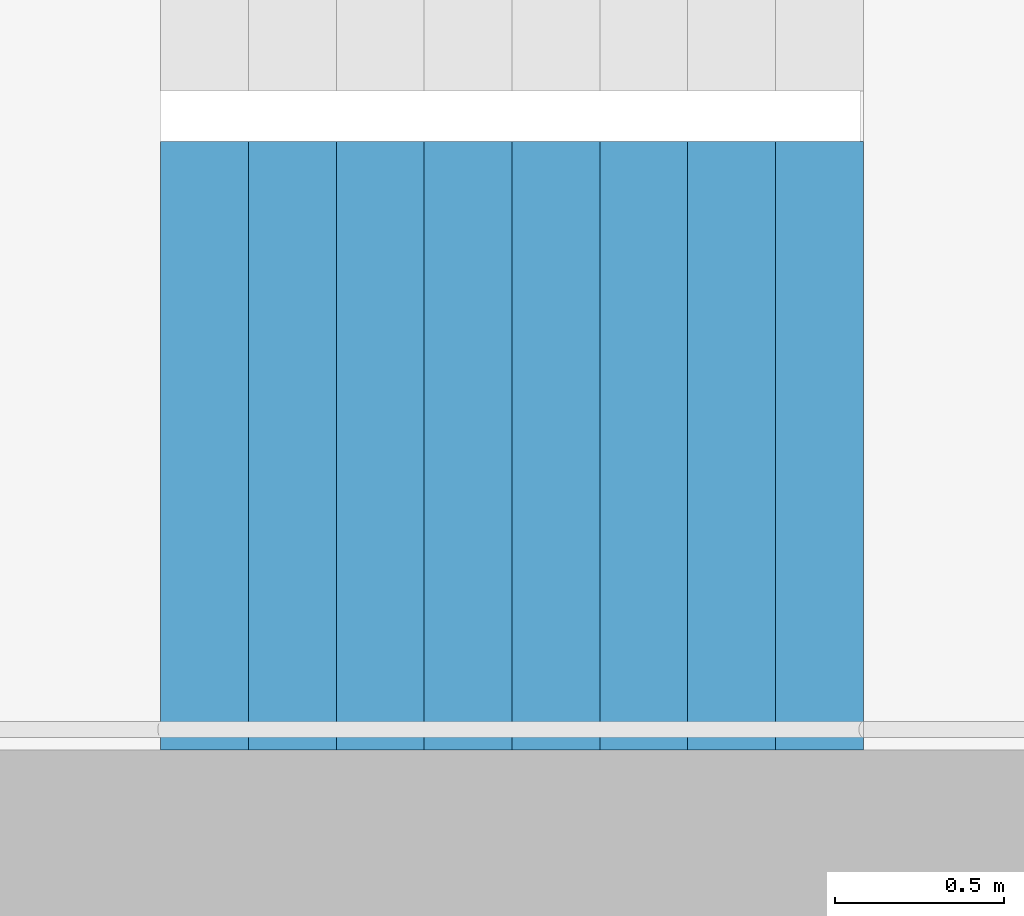
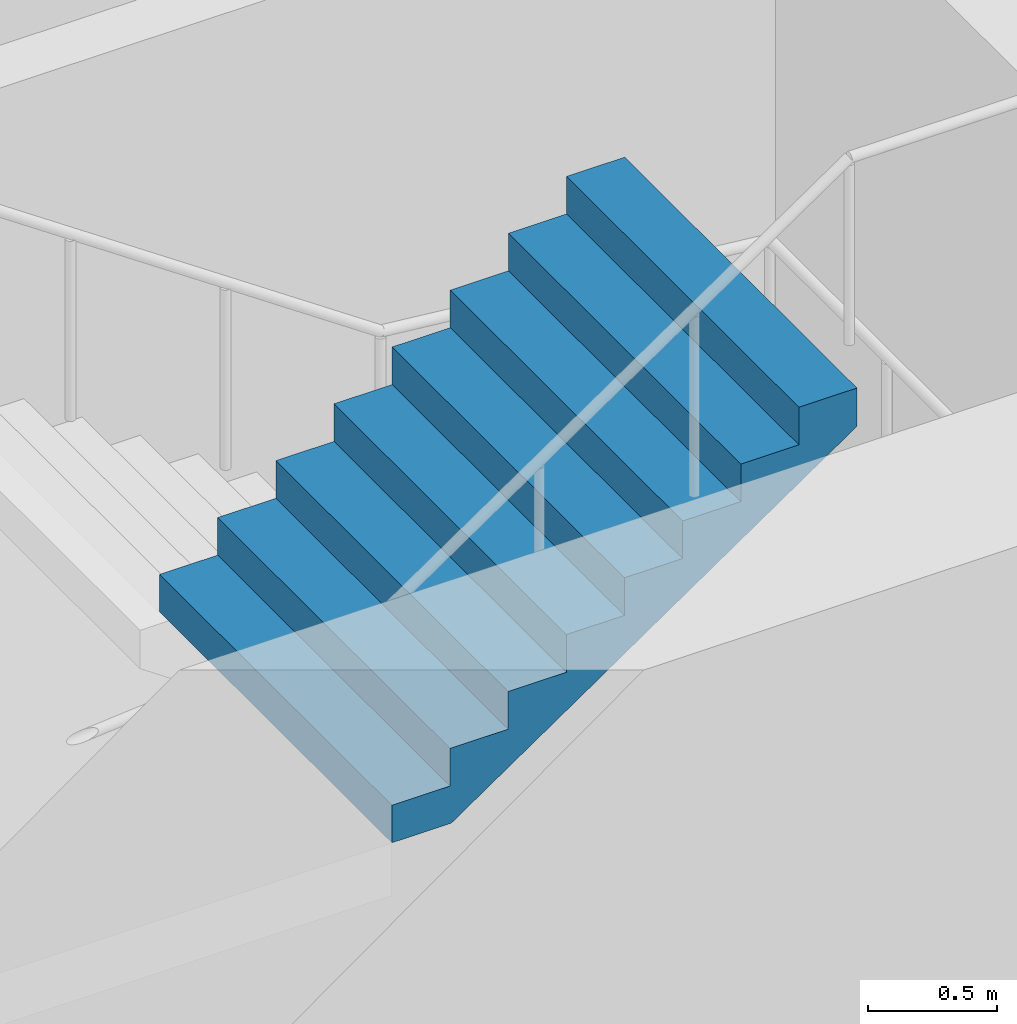
# One storey, part 17 of 42: 1 stair flight, 1 element without a shape of its own.
"""IFC4 building model written with IfcOpenShell, lengths in metres."""

from ifc_helpers import new_model, si_unit, direction, frame, origin, place, context, subcontext, project, spatial, triangles, material, type_object, element, aggregate, save


model = new_model("IFC4")

# Units and contexts
model_context = context("Model", 3, precision=1e-05, world=origin(), true_north=direction((0.0, 1.0)))
body_context = subcontext(model_context, "Body", "Model", "MODEL_VIEW")
ifc_project = project(units=[si_unit("LENGTHUNIT", "METRE"), si_unit("AREAUNIT", "SQUARE_METRE"), si_unit("VOLUMEUNIT", "CUBIC_METRE"), si_unit("PLANEANGLEUNIT", "RADIAN"), si_unit("MASSUNIT", "GRAM", prefix="KILO")], contexts=[model_context])

# Site, building, storey
site_placement = place(None, origin())
site = spatial("IfcSite", under=ifc_project, at=site_placement, CompositionType="ELEMENT")
building_placement = place(site_placement, origin())
building = spatial("IfcBuilding", under=site, at=building_placement, Name="Hakoniwa Tower and Hamabe Station Hall", CompositionType="ELEMENT")
storey_placement = place(building_placement, frame((0.0, 0.0, 232.60009765625)))
storey = spatial("IfcBuildingStorey", under=building, at=storey_placement, Name="L66", CompositionType="ELEMENT", Elevation=232.60009765625)

# Stair, stair flight
ifc_material_1 = material(Name="Concrete C40", Category="concrete")
stair_type = type_object("IfcStairType", Name="ESCAPE STAIR 1800", PredefinedType="HALF_TURN_STAIR", material=ifc_material_1)
stair_placement = place(storey_placement, origin())
stair = element("IfcStair", 1, at=stair_placement, inside=storey, type_object=stair_type, Name="Escape stair ST-2 L66", PredefinedType="HALF_TURN_STAIR")
ifc_material_2 = material(Name="Concrete C40", Category="concrete")
stair_flight_type = type_object("IfcStairFlightType", Name="STAIR FLIGHT 1800", PredefinedType="STRAIGHT", material=ifc_material_2)
stair_flight_placement = place(storey_placement, frame((-25.47998046875, -6.60009765625, 4.7998046875), z_axis=(0.0, 0.0, 1.0), x_axis=(1.0, 0.0, 0.0)))
stair_flight = element("IfcStairFlight", 2, at=stair_flight_placement, type_object=stair_flight_type, Name="ST-2 flight 4", NumberOfRisers=9, NumberOfTreads=8, PredefinedType="STRAIGHT", RiserHeight=0.177777778, TreadLength=0.26, context=body_context, shape_type="Tessellation", body=[
    triangles([(0.0, 0.89990234375, 0.0), (0.260009765625, 0.89990234375, 0.0), (0.265625, 0.89990234375, 0.0), (0.52001953125, 0.89990234375, 0.174072265625), (0.780029296875, 0.89990234375, 0.351806640625), (1.0400390625, 0.89990234375, 0.529541015625), (1.300048828125, 0.89990234375, 0.707275390625), (1.56005859375, 0.89990234375, 0.885009765625), (1.820068359375, 0.89990234375, 1.062744140625), (2.080078125, 0.89990234375, 1.24072265625), (2.080078125, 0.89990234375, 1.422119140625), (1.820068359375, 0.89990234375, 1.422119140625), (1.820068359375, 0.89990234375, 1.244384765625), (1.56005859375, 0.89990234375, 1.244384765625), (1.56005859375, 0.89990234375, 1.066650390625), (1.300048828125, 0.89990234375, 1.066650390625), (1.300048828125, 0.89990234375, 0.888916015625), (1.0400390625, 0.89990234375, 0.888916015625), (1.0400390625, 0.89990234375, 0.711181640625), (0.780029296875, 0.89990234375, 0.711181640625), (0.780029296875, 0.89990234375, 0.533447265625), (0.52001953125, 0.89990234375, 0.533447265625), (0.52001953125, 0.89990234375, 0.35546875), (0.265625, 0.89990234375, 0.35546875), (0.260009765625, 0.89990234375, 0.35546875), (0.260009765625, 0.89990234375, 0.177734375), (0.0, 0.89990234375, 0.177734375), (0.0, 0.06005859375, 0.0), (0.260009765625, 0.06005859375, 0.0), (0.265625, 0.06005859375, 0.0), (0.52001953125, 0.06005859375, 0.174072265625), (0.780029296875, 0.06005859375, 0.351806640625), (1.0400390625, 0.06005859375, 0.529541015625), (1.300048828125, 0.06005859375, 0.707275390625), (1.56005859375, 0.06005859375, 0.885009765625), (1.820068359375, 0.06005859375, 1.062744140625), (2.080078125, 0.06005859375, 1.24072265625), (2.080078125, 0.06005859375, 1.422119140625), (1.820068359375, 0.06005859375, 1.422119140625), (1.820068359375, 0.06005859375, 1.244384765625), (1.56005859375, 0.06005859375, 1.244384765625), (1.56005859375, 0.06005859375, 1.066650390625), (1.300048828125, 0.06005859375, 1.066650390625), (1.300048828125, 0.06005859375, 0.888916015625), (1.0400390625, 0.06005859375, 0.888916015625), (1.0400390625, 0.06005859375, 0.711181640625), (0.780029296875, 0.06005859375, 0.711181640625), (0.780029296875, 0.06005859375, 0.533447265625), (0.52001953125, 0.06005859375, 0.533447265625), (0.52001953125, 0.06005859375, 0.35546875), (0.265625, 0.06005859375, 0.35546875), (0.260009765625, 0.06005859375, 0.35546875), (0.260009765625, 0.06005859375, 0.177734375), (0.0, 0.06005859375, 0.177734375), (0.0, 0.04296875, 0.0), (0.260009765625, 0.04296875, 0.0), (0.265625, 0.04296875, 0.0), (0.52001953125, 0.04296875, 0.174072265625), (0.780029296875, 0.04296875, 0.351806640625), (1.0400390625, 0.04296875, 0.529541015625), (1.300048828125, 0.04296875, 0.707275390625), (1.56005859375, 0.04296875, 0.885009765625), (1.820068359375, 0.04296875, 1.062744140625), (2.080078125, 0.04296875, 1.24072265625), (2.080078125, 0.04296875, 1.422119140625), (1.820068359375, 0.04296875, 1.422119140625), (1.820068359375, 0.04296875, 1.244384765625), (1.56005859375, 0.04296875, 1.244384765625), (1.56005859375, 0.04296875, 1.066650390625), (1.300048828125, 0.04296875, 1.066650390625), (1.300048828125, 0.04296875, 0.888916015625), (1.0400390625, 0.04296875, 0.888916015625), (1.0400390625, 0.04296875, 0.711181640625), (0.780029296875, 0.04296875, 0.711181640625), (0.780029296875, 0.04296875, 0.533447265625), (0.52001953125, 0.04296875, 0.533447265625), (0.52001953125, 0.04296875, 0.35546875), (0.265625, 0.04296875, 0.35546875), (0.260009765625, 0.04296875, 0.35546875), (0.260009765625, 0.04296875, 0.177734375), (0.0, 0.04296875, 0.177734375), (0.0, 0.025634765625, 0.0), (0.260009765625, 0.025634765625, 0.0), (0.265625, 0.025634765625, 0.0), (0.52001953125, 0.025634765625, 0.174072265625), (0.780029296875, 0.025634765625, 0.351806640625), (1.0400390625, 0.025634765625, 0.529541015625), (1.300048828125, 0.025634765625, 0.707275390625), (1.56005859375, 0.025634765625, 0.885009765625), (1.820068359375, 0.025634765625, 1.062744140625), (2.080078125, 0.025634765625, 1.24072265625), (2.080078125, 0.025634765625, 1.422119140625), (1.820068359375, 0.025634765625, 1.422119140625), (1.820068359375, 0.025634765625, 1.244384765625), (1.56005859375, 0.025634765625, 1.244384765625), (1.56005859375, 0.025634765625, 1.066650390625), (1.300048828125, 0.025634765625, 1.066650390625), (1.300048828125, 0.025634765625, 0.888916015625), (1.0400390625, 0.025634765625, 0.888916015625), (1.0400390625, 0.025634765625, 0.711181640625), (0.780029296875, 0.025634765625, 0.711181640625), (0.780029296875, 0.025634765625, 0.533447265625), (0.52001953125, 0.025634765625, 0.533447265625), (0.52001953125, 0.025634765625, 0.35546875), (0.265625, 0.025634765625, 0.35546875), (0.260009765625, 0.025634765625, 0.35546875), (0.260009765625, 0.025634765625, 0.177734375), (0.0, 0.025634765625, 0.177734375), (0.0, 0.008544921875, 0.0), (0.260009765625, 0.008544921875, 0.0), (0.265625, 0.008544921875, 0.0), (0.52001953125, 0.008544921875, 0.174072265625), (0.780029296875, 0.008544921875, 0.351806640625), (1.0400390625, 0.008544921875, 0.529541015625), (1.300048828125, 0.008544921875, 0.707275390625), (1.56005859375, 0.008544921875, 0.885009765625), (1.820068359375, 0.008544921875, 1.062744140625), (2.080078125, 0.008544921875, 1.24072265625), (2.080078125, 0.008544921875, 1.422119140625), (1.820068359375, 0.008544921875, 1.422119140625), (1.820068359375, 0.008544921875, 1.244384765625), (1.56005859375, 0.008544921875, 1.244384765625), (1.56005859375, 0.008544921875, 1.066650390625), (1.300048828125, 0.008544921875, 1.066650390625), (1.300048828125, 0.008544921875, 0.888916015625), (1.0400390625, 0.008544921875, 0.888916015625), (1.0400390625, 0.008544921875, 0.711181640625), (0.780029296875, 0.008544921875, 0.711181640625), (0.780029296875, 0.008544921875, 0.533447265625), (0.52001953125, 0.008544921875, 0.533447265625), (0.52001953125, 0.008544921875, 0.35546875), (0.265625, 0.008544921875, 0.35546875), (0.260009765625, 0.008544921875, 0.35546875), (0.260009765625, 0.008544921875, 0.177734375), (0.0, 0.008544921875, 0.177734375), (0.0, -0.008544921875, 0.0), (0.260009765625, -0.008544921875, 0.0), (0.265625, -0.008544921875, 0.0), (0.52001953125, -0.008544921875, 0.174072265625), (0.780029296875, -0.008544921875, 0.351806640625), (1.0400390625, -0.008544921875, 0.529541015625), (1.300048828125, -0.008544921875, 0.707275390625), (1.56005859375, -0.008544921875, 0.885009765625), (1.820068359375, -0.008544921875, 1.062744140625), (2.080078125, -0.008544921875, 1.24072265625), (2.080078125, -0.008544921875, 1.422119140625), (1.820068359375, -0.008544921875, 1.422119140625), (1.820068359375, -0.008544921875, 1.244384765625), (1.56005859375, -0.008544921875, 1.244384765625), (1.56005859375, -0.008544921875, 1.066650390625), (1.300048828125, -0.008544921875, 1.066650390625), (1.300048828125, -0.008544921875, 0.888916015625), (1.0400390625, -0.008544921875, 0.888916015625), (1.0400390625, -0.008544921875, 0.711181640625), (0.780029296875, -0.008544921875, 0.711181640625), (0.780029296875, -0.008544921875, 0.533447265625), (0.52001953125, -0.008544921875, 0.533447265625), (0.52001953125, -0.008544921875, 0.35546875), (0.265625, -0.008544921875, 0.35546875), (0.260009765625, -0.008544921875, 0.35546875), (0.260009765625, -0.008544921875, 0.177734375), (0.0, -0.008544921875, 0.177734375), (0.0, -0.025634765625, 0.0), (0.260009765625, -0.025634765625, 0.0), (0.265625, -0.025634765625, 0.0), (0.52001953125, -0.025634765625, 0.174072265625), (0.780029296875, -0.025634765625, 0.351806640625), (1.0400390625, -0.025634765625, 0.529541015625), (1.300048828125, -0.025634765625, 0.707275390625), (1.56005859375, -0.025634765625, 0.885009765625), (1.820068359375, -0.025634765625, 1.062744140625), (2.080078125, -0.025634765625, 1.24072265625), (2.080078125, -0.025634765625, 1.422119140625), (1.820068359375, -0.025634765625, 1.422119140625), (1.820068359375, -0.025634765625, 1.244384765625), (1.56005859375, -0.025634765625, 1.244384765625), (1.56005859375, -0.025634765625, 1.066650390625), (1.300048828125, -0.025634765625, 1.066650390625), (1.300048828125, -0.025634765625, 0.888916015625), (1.0400390625, -0.025634765625, 0.888916015625), (1.0400390625, -0.025634765625, 0.711181640625), (0.780029296875, -0.025634765625, 0.711181640625), (0.780029296875, -0.025634765625, 0.533447265625), (0.52001953125, -0.025634765625, 0.533447265625), (0.52001953125, -0.025634765625, 0.35546875), (0.265625, -0.025634765625, 0.35546875), (0.260009765625, -0.025634765625, 0.35546875), (0.260009765625, -0.025634765625, 0.177734375), (0.0, -0.025634765625, 0.177734375), (0.0, -0.04296875, 0.0), (0.260009765625, -0.04296875, 0.0), (0.265625, -0.04296875, 0.0), (0.52001953125, -0.04296875, 0.174072265625), (0.780029296875, -0.04296875, 0.351806640625), (1.0400390625, -0.04296875, 0.529541015625), (1.300048828125, -0.04296875, 0.707275390625), (1.56005859375, -0.04296875, 0.885009765625), (1.820068359375, -0.04296875, 1.062744140625), (2.080078125, -0.04296875, 1.24072265625), (2.080078125, -0.04296875, 1.422119140625), (1.820068359375, -0.04296875, 1.422119140625), (1.820068359375, -0.04296875, 1.244384765625), (1.56005859375, -0.04296875, 1.244384765625), (1.56005859375, -0.04296875, 1.066650390625), (1.300048828125, -0.04296875, 1.066650390625), (1.300048828125, -0.04296875, 0.888916015625), (1.0400390625, -0.04296875, 0.888916015625), (1.0400390625, -0.04296875, 0.711181640625), (0.780029296875, -0.04296875, 0.711181640625), (0.780029296875, -0.04296875, 0.533447265625), (0.52001953125, -0.04296875, 0.533447265625), (0.52001953125, -0.04296875, 0.35546875), (0.265625, -0.04296875, 0.35546875), (0.260009765625, -0.04296875, 0.35546875), (0.260009765625, -0.04296875, 0.177734375), (0.0, -0.04296875, 0.177734375), (0.0, -0.06005859375, 0.0), (0.260009765625, -0.06005859375, 0.0), (0.265625, -0.06005859375, 0.0), (0.52001953125, -0.06005859375, 0.174072265625), (0.780029296875, -0.06005859375, 0.351806640625), (1.0400390625, -0.06005859375, 0.529541015625), (1.300048828125, -0.06005859375, 0.707275390625), (1.56005859375, -0.06005859375, 0.885009765625), (1.820068359375, -0.06005859375, 1.062744140625), (2.080078125, -0.06005859375, 1.24072265625), (2.080078125, -0.06005859375, 1.422119140625), (1.820068359375, -0.06005859375, 1.422119140625), (1.820068359375, -0.06005859375, 1.244384765625), (1.56005859375, -0.06005859375, 1.244384765625), (1.56005859375, -0.06005859375, 1.066650390625), (1.300048828125, -0.06005859375, 1.066650390625), (1.300048828125, -0.06005859375, 0.888916015625), (1.0400390625, -0.06005859375, 0.888916015625), (1.0400390625, -0.06005859375, 0.711181640625), (0.780029296875, -0.06005859375, 0.711181640625), (0.780029296875, -0.06005859375, 0.533447265625), (0.52001953125, -0.06005859375, 0.533447265625), (0.52001953125, -0.06005859375, 0.35546875), (0.265625, -0.06005859375, 0.35546875), (0.260009765625, -0.06005859375, 0.35546875), (0.260009765625, -0.06005859375, 0.177734375), (0.0, -0.06005859375, 0.177734375), (0.0, -0.89990234375, 0.0), (0.260009765625, -0.89990234375, 0.0), (0.265625, -0.89990234375, 0.0), (0.52001953125, -0.89990234375, 0.174072265625), (0.780029296875, -0.89990234375, 0.351806640625), (1.0400390625, -0.89990234375, 0.529541015625), (1.300048828125, -0.89990234375, 0.707275390625), (1.56005859375, -0.89990234375, 0.885009765625), (1.820068359375, -0.89990234375, 1.062744140625), (2.080078125, -0.89990234375, 1.24072265625), (2.080078125, -0.89990234375, 1.422119140625), (1.820068359375, -0.89990234375, 1.422119140625), (1.820068359375, -0.89990234375, 1.244384765625), (1.56005859375, -0.89990234375, 1.244384765625), (1.56005859375, -0.89990234375, 1.066650390625), (1.300048828125, -0.89990234375, 1.066650390625), (1.300048828125, -0.89990234375, 0.888916015625), (1.0400390625, -0.89990234375, 0.888916015625), (1.0400390625, -0.89990234375, 0.711181640625), (0.780029296875, -0.89990234375, 0.711181640625), (0.780029296875, -0.89990234375, 0.533447265625), (0.52001953125, -0.89990234375, 0.533447265625), (0.52001953125, -0.89990234375, 0.35546875), (0.265625, -0.89990234375, 0.35546875), (0.260009765625, -0.89990234375, 0.35546875), (0.260009765625, -0.89990234375, 0.177734375), (0.0, -0.89990234375, 0.177734375)], [[2, 27, 26], [245, 269, 270], [2, 1, 27], [245, 270, 244], [3, 25, 24], [246, 267, 268], [3, 26, 25], [246, 268, 269], [3, 2, 26], [246, 269, 245], [4, 24, 23], [247, 266, 267], [4, 3, 24], [247, 267, 246], [5, 22, 21], [248, 264, 265], [5, 23, 22], [248, 265, 266], [5, 4, 23], [248, 266, 247], [6, 20, 19], [249, 262, 263], [6, 21, 20], [249, 263, 264], [6, 5, 21], [249, 264, 248], [7, 18, 17], [250, 260, 261], [7, 19, 18], [250, 261, 262], [7, 6, 19], [250, 262, 249], [8, 16, 15], [251, 258, 259], [8, 17, 16], [251, 259, 260], [8, 7, 17], [251, 260, 250], [9, 14, 13], [252, 256, 257], [9, 15, 14], [252, 257, 258], [9, 8, 15], [252, 258, 251], [10, 12, 11], [253, 254, 255], [10, 13, 12], [253, 255, 256], [10, 9, 13], [253, 256, 252], [1, 2, 29], [1, 29, 28], [28, 29, 56], [28, 56, 55], [55, 56, 83], [55, 83, 82], [82, 83, 110], [82, 110, 109], [109, 110, 137], [109, 137, 136], [136, 137, 164], [136, 164, 163], [163, 164, 191], [163, 191, 190], [190, 191, 218], [190, 218, 217], [217, 218, 245], [217, 245, 244], [2, 3, 30], [2, 30, 29], [29, 30, 57], [29, 57, 56], [56, 57, 84], [56, 84, 83], [83, 84, 111], [83, 111, 110], [110, 111, 138], [110, 138, 137], [137, 138, 165], [137, 165, 164], [164, 165, 192], [164, 192, 191], [191, 192, 219], [191, 219, 218], [218, 219, 246], [218, 246, 245], [3, 4, 31], [3, 31, 30], [30, 31, 58], [30, 58, 57], [57, 58, 85], [57, 85, 84], [84, 85, 112], [84, 112, 111], [111, 112, 139], [111, 139, 138], [138, 139, 166], [138, 166, 165], [165, 166, 193], [165, 193, 192], [192, 193, 220], [192, 220, 219], [219, 220, 247], [219, 247, 246], [4, 5, 32], [4, 32, 31], [31, 32, 59], [31, 59, 58], [58, 59, 86], [58, 86, 85], [85, 86, 113], [85, 113, 112], [112, 113, 140], [112, 140, 139], [139, 140, 167], [139, 167, 166], [166, 167, 194], [166, 194, 193], [193, 194, 221], [193, 221, 220], [220, 221, 248], [220, 248, 247], [5, 6, 33], [5, 33, 32], [32, 33, 60], [32, 60, 59], [59, 60, 87], [59, 87, 86], [86, 87, 114], [86, 114, 113], [113, 114, 141], [113, 141, 140], [140, 141, 168], [140, 168, 167], [167, 168, 195], [167, 195, 194], [194, 195, 222], [194, 222, 221], [221, 222, 249], [221, 249, 248], [6, 7, 34], [6, 34, 33], [33, 34, 61], [33, 61, 60], [60, 61, 88], [60, 88, 87], [87, 88, 115], [87, 115, 114], [114, 115, 142], [114, 142, 141], [141, 142, 169], [141, 169, 168], [168, 169, 196], [168, 196, 195], [195, 196, 223], [195, 223, 222], [222, 223, 250], [222, 250, 249], [7, 8, 35], [7, 35, 34], [34, 35, 62], [34, 62, 61], [61, 62, 89], [61, 89, 88], [88, 89, 116], [88, 116, 115], [115, 116, 143], [115, 143, 142], [142, 143, 170], [142, 170, 169], [169, 170, 197], [169, 197, 196], [196, 197, 224], [196, 224, 223], [223, 224, 251], [223, 251, 250], [8, 9, 36], [8, 36, 35], [35, 36, 63], [35, 63, 62], [62, 63, 90], [62, 90, 89], [89, 90, 117], [89, 117, 116], [116, 117, 144], [116, 144, 143], [143, 144, 171], [143, 171, 170], [170, 171, 198], [170, 198, 197], [197, 198, 225], [197, 225, 224], [224, 225, 252], [224, 252, 251], [9, 10, 37], [9, 37, 36], [36, 37, 64], [36, 64, 63], [63, 64, 91], [63, 91, 90], [90, 91, 118], [90, 118, 117], [117, 118, 145], [117, 145, 144], [144, 145, 172], [144, 172, 171], [171, 172, 199], [171, 199, 198], [198, 199, 226], [198, 226, 225], [225, 226, 253], [225, 253, 252], [10, 11, 38], [10, 38, 37], [37, 38, 65], [37, 65, 64], [64, 65, 92], [64, 92, 91], [91, 92, 119], [91, 119, 118], [118, 119, 146], [118, 146, 145], [145, 146, 173], [145, 173, 172], [172, 173, 200], [172, 200, 199], [199, 200, 227], [199, 227, 226], [226, 227, 254], [226, 254, 253], [11, 12, 39], [11, 39, 38], [38, 39, 66], [38, 66, 65], [65, 66, 93], [65, 93, 92], [92, 93, 120], [92, 120, 119], [119, 120, 147], [119, 147, 146], [146, 147, 174], [146, 174, 173], [173, 174, 201], [173, 201, 200], [200, 201, 228], [200, 228, 227], [227, 228, 255], [227, 255, 254], [12, 13, 40], [12, 40, 39], [39, 40, 67], [39, 67, 66], [66, 67, 94], [66, 94, 93], [93, 94, 121], [93, 121, 120], [120, 121, 148], [120, 148, 147], [147, 148, 175], [147, 175, 174], [174, 175, 202], [174, 202, 201], [201, 202, 229], [201, 229, 228], [228, 229, 256], [228, 256, 255], [13, 14, 41], [13, 41, 40], [40, 41, 68], [40, 68, 67], [67, 68, 95], [67, 95, 94], [94, 95, 122], [94, 122, 121], [121, 122, 149], [121, 149, 148], [148, 149, 176], [148, 176, 175], [175, 176, 203], [175, 203, 202], [202, 203, 230], [202, 230, 229], [229, 230, 257], [229, 257, 256], [14, 15, 42], [14, 42, 41], [41, 42, 69], [41, 69, 68], [68, 69, 96], [68, 96, 95], [95, 96, 123], [95, 123, 122], [122, 123, 150], [122, 150, 149], [149, 150, 177], [149, 177, 176], [176, 177, 204], [176, 204, 203], [203, 204, 231], [203, 231, 230], [230, 231, 258], [230, 258, 257], [15, 16, 43], [15, 43, 42], [42, 43, 70], [42, 70, 69], [69, 70, 97], [69, 97, 96], [96, 97, 124], [96, 124, 123], [123, 124, 151], [123, 151, 150], [150, 151, 178], [150, 178, 177], [177, 178, 205], [177, 205, 204], [204, 205, 232], [204, 232, 231], [231, 232, 259], [231, 259, 258], [16, 17, 44], [16, 44, 43], [43, 44, 71], [43, 71, 70], [70, 71, 98], [70, 98, 97], [97, 98, 125], [97, 125, 124], [124, 125, 152], [124, 152, 151], [151, 152, 179], [151, 179, 178], [178, 179, 206], [178, 206, 205], [205, 206, 233], [205, 233, 232], [232, 233, 260], [232, 260, 259], [17, 18, 45], [17, 45, 44], [44, 45, 72], [44, 72, 71], [71, 72, 99], [71, 99, 98], [98, 99, 126], [98, 126, 125], [125, 126, 153], [125, 153, 152], [152, 153, 180], [152, 180, 179], [179, 180, 207], [179, 207, 206], [206, 207, 234], [206, 234, 233], [233, 234, 261], [233, 261, 260], [18, 19, 46], [18, 46, 45], [45, 46, 73], [45, 73, 72], [72, 73, 100], [72, 100, 99], [99, 100, 127], [99, 127, 126], [126, 127, 154], [126, 154, 153], [153, 154, 181], [153, 181, 180], [180, 181, 208], [180, 208, 207], [207, 208, 235], [207, 235, 234], [234, 235, 262], [234, 262, 261], [19, 20, 47], [19, 47, 46], [46, 47, 74], [46, 74, 73], [73, 74, 101], [73, 101, 100], [100, 101, 128], [100, 128, 127], [127, 128, 155], [127, 155, 154], [154, 155, 182], [154, 182, 181], [181, 182, 209], [181, 209, 208], [208, 209, 236], [208, 236, 235], [235, 236, 263], [235, 263, 262], [20, 21, 48], [20, 48, 47], [47, 48, 75], [47, 75, 74], [74, 75, 102], [74, 102, 101], [101, 102, 129], [101, 129, 128], [128, 129, 156], [128, 156, 155], [155, 156, 183], [155, 183, 182], [182, 183, 210], [182, 210, 209], [209, 210, 237], [209, 237, 236], [236, 237, 264], [236, 264, 263], [21, 22, 49], [21, 49, 48], [48, 49, 76], [48, 76, 75], [75, 76, 103], [75, 103, 102], [102, 103, 130], [102, 130, 129], [129, 130, 157], [129, 157, 156], [156, 157, 184], [156, 184, 183], [183, 184, 211], [183, 211, 210], [210, 211, 238], [210, 238, 237], [237, 238, 265], [237, 265, 264], [22, 23, 50], [22, 50, 49], [49, 50, 77], [49, 77, 76], [76, 77, 104], [76, 104, 103], [103, 104, 131], [103, 131, 130], [130, 131, 158], [130, 158, 157], [157, 158, 185], [157, 185, 184], [184, 185, 212], [184, 212, 211], [211, 212, 239], [211, 239, 238], [238, 239, 266], [238, 266, 265], [23, 24, 51], [23, 51, 50], [50, 51, 78], [50, 78, 77], [77, 78, 105], [77, 105, 104], [104, 105, 132], [104, 132, 131], [131, 132, 159], [131, 159, 158], [158, 159, 186], [158, 186, 185], [185, 186, 213], [185, 213, 212], [212, 213, 240], [212, 240, 239], [239, 240, 267], [239, 267, 266], [24, 25, 52], [24, 52, 51], [51, 52, 79], [51, 79, 78], [78, 79, 106], [78, 106, 105], [105, 106, 133], [105, 133, 132], [132, 133, 160], [132, 160, 159], [159, 160, 187], [159, 187, 186], [186, 187, 214], [186, 214, 213], [213, 214, 241], [213, 241, 240], [240, 241, 268], [240, 268, 267], [25, 26, 53], [25, 53, 52], [52, 53, 80], [52, 80, 79], [79, 80, 107], [79, 107, 106], [106, 107, 134], [106, 134, 133], [133, 134, 161], [133, 161, 160], [160, 161, 188], [160, 188, 187], [187, 188, 215], [187, 215, 214], [214, 215, 242], [214, 242, 241], [241, 242, 269], [241, 269, 268], [26, 27, 54], [26, 54, 53], [53, 54, 81], [53, 81, 80], [80, 81, 108], [80, 108, 107], [107, 108, 135], [107, 135, 134], [134, 135, 162], [134, 162, 161], [161, 162, 189], [161, 189, 188], [188, 189, 216], [188, 216, 215], [215, 216, 243], [215, 243, 242], [242, 243, 270], [242, 270, 269], [27, 1, 28], [27, 28, 54], [54, 28, 55], [54, 55, 81], [81, 55, 82], [81, 82, 108], [108, 82, 109], [108, 109, 135], [135, 109, 136], [135, 136, 162], [162, 136, 163], [162, 163, 189], [189, 163, 190], [189, 190, 216], [216, 190, 217], [216, 217, 243], [243, 217, 244], [243, 244, 270]], closed=True),
])
aggregate(stair, [stair_flight])

save(model, "model.ifc")
